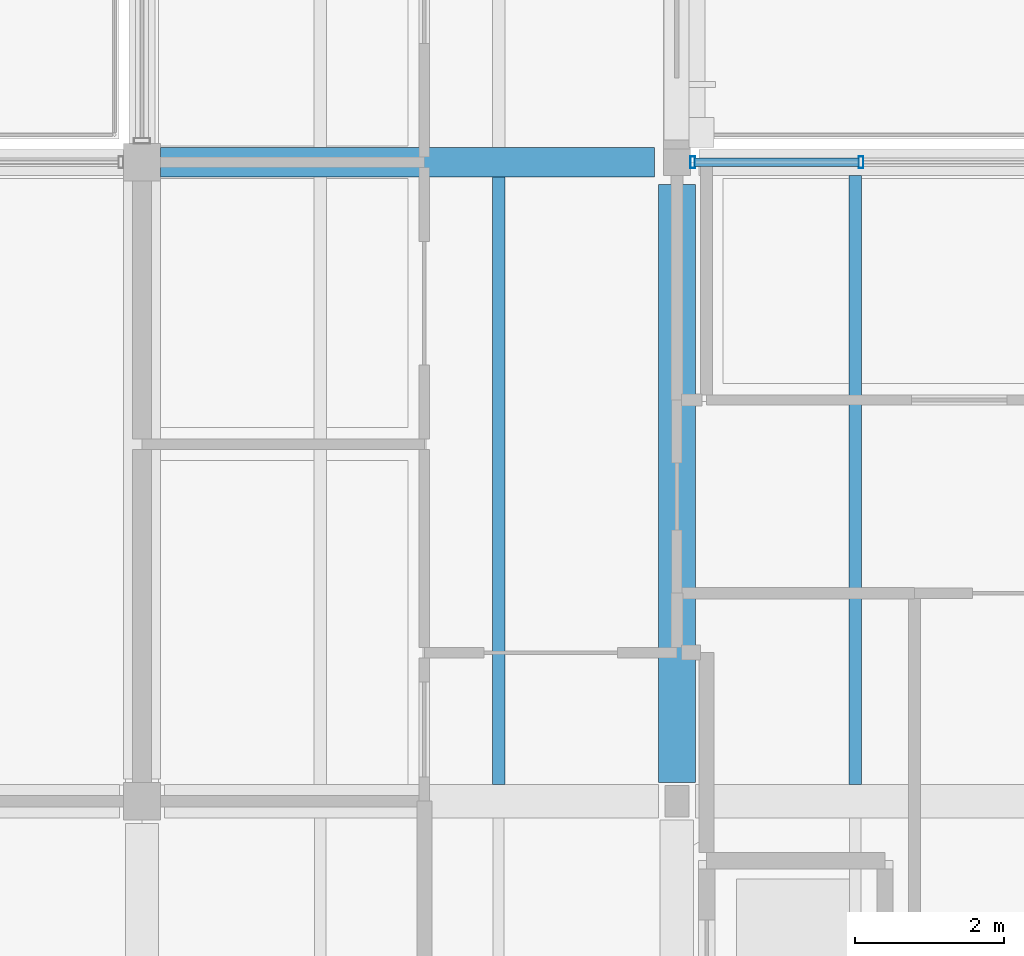
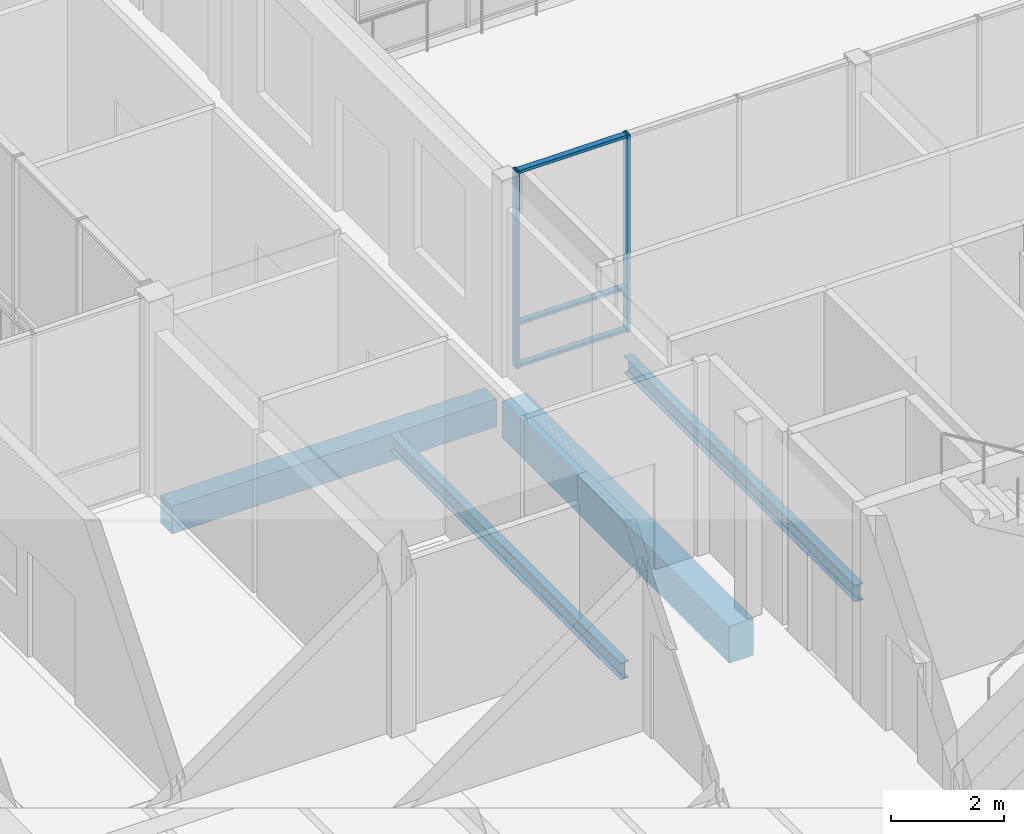
# One storey, part 84 of 146: 5 members, 4 beams, 1 element without a shape of its own.
"""IFC4 building model written with IfcOpenShell, lengths in metres."""

from ifc_helpers import new_model, si_unit, direction, frame, origin, origin_2d, place, context, subcontext, project, spatial, rectangle, hollow_rectangle, i_section, extrude, material, material_profile, profile_set, type_object, element, aggregate, save


model = new_model("IFC4")

# Units and contexts
model_context = context("Model", 3, precision=1e-05, world=origin(), true_north=direction((0.0, 1.0)))
body_context = subcontext(model_context, "Body", "Model", "MODEL_VIEW")
ifc_project = project(units=[si_unit("LENGTHUNIT", "METRE"), si_unit("AREAUNIT", "SQUARE_METRE"), si_unit("VOLUMEUNIT", "CUBIC_METRE"), si_unit("PLANEANGLEUNIT", "RADIAN"), si_unit("MASSUNIT", "GRAM", prefix="KILO")], contexts=[model_context])

# Site, building, storey
site_placement = place(None, origin())
site = spatial("IfcSite", under=ifc_project, at=site_placement, CompositionType="ELEMENT")
building_placement = place(site_placement, origin())
building = spatial("IfcBuilding", under=site, at=building_placement, Name="Hawrajan Terrace Health Centre", CompositionType="ELEMENT")
storey_placement = place(building_placement, frame((0.0, 0.0, 4.5)))
storey = spatial("IfcBuildingStorey", under=building, at=storey_placement, Name="L01", CompositionType="ELEMENT", Elevation=4.5)

# Curtain wall, members
ifc_material_1 = material(Name="Anodized bronze aluminium and low-E solar glazing", Category="aluminium")
curtain_wall_type = type_object("IfcCurtainWallType", Name="CW_Pavilion_SeriesE1", PredefinedType="USERDEFINED", material=ifc_material_1)
curtain_wall_placement = place(storey_placement, origin())
curtain_wall = element("IfcCurtainWall", 1, at=curtain_wall_placement, inside=storey, type_object=curtain_wall_type, Name="Curtain wall CW-L01-108", ObjectType="UNITISED CURTAIN WALL", PredefinedType="USERDEFINED")
ifc_material_2 = material(Name="Anodized bronze aluminium 6063-T6", Category="aluminium")
ifc_material_profile_1 = material_profile(ifc_material_2, hollow_rectangle(XDim=0.06494140625, YDim=0.159912109375, WallThickness=0.00390625, at=origin_2d()), Name="CW MUL 65x160")
ifc_profile_set_1 = profile_set([ifc_material_profile_1], Name="Anodized bronze aluminium 6063-T6")
member_type_1 = type_object("IfcMemberType", Name="CWMullion_65x160", PredefinedType="MULLION", material=ifc_profile_set_1)
member_1_placement = place(storey_placement, frame((151.21240234375, 27.199951171875, -0.0048828125), z_axis=(0.0, 0.0, 1.0), x_axis=(1.0, 0.0, 0.0)))
member_1 = element("IfcMember", 2, at=member_1_placement, type_object=member_type_1, Name="Mullion CW-L01-108-M1", PredefinedType="MULLION", context=body_context, shape_type="SweptSolid", body=[
    extrude(hollow_rectangle(XDim=0.06494140625, YDim=0.159912109375, WallThickness=0.00390625, at=origin_2d()), origin(), (0.0, 0.0, 1.0), 4.269775390625),
])
member_2_placement = place(storey_placement, frame((153.4775390625, 27.199951171875, -0.0048828125), z_axis=(0.0, 0.0, 1.0), x_axis=(1.0, 0.0, 0.0)))
member_2 = element("IfcMember", 3, at=member_2_placement, type_object=member_type_1, Name="Mullion CW-L01-108-M2", PredefinedType="MULLION", context=body_context, shape_type="SweptSolid", body=[
    extrude(hollow_rectangle(XDim=0.06494140625, YDim=0.159912109375, WallThickness=0.00390625, at=origin_2d()), origin(), (0.0, 0.0, 1.0), 4.269775390625),
])
ifc_material_profile_2 = material_profile(ifc_material_2, hollow_rectangle(XDim=0.06494140625, YDim=0.1201171875, WallThickness=0.00341796875, at=origin_2d()), Name="CW TRN 65x120")
ifc_profile_set_2 = profile_set([ifc_material_profile_2], Name="Anodized bronze aluminium 6063-T6")
member_type_2 = type_object("IfcMemberType", Name="CWTransom_65x120", PredefinedType="USERDEFINED", material=ifc_profile_set_2)
member_3_placement = place(storey_placement, frame((151.239013671875, 27.199951171875, 0.032470703125), z_axis=(1.0, 0.0, 0.0), x_axis=(0.0, 0.0, 1.0)))
member_3 = element("IfcMember", 4, at=member_3_placement, type_object=member_type_2, Name="Transom CW-L01-108-T1-1", ObjectType="TRANSOM", PredefinedType="USERDEFINED", context=body_context, shape_type="SweptSolid", body=[
    extrude(hollow_rectangle(XDim=0.06494140625, YDim=0.1201171875, WallThickness=0.00341796875, at=origin_2d()), origin(), (0.0, 0.0, 1.0), 2.2119140625),
])
member_4_placement = place(storey_placement, frame((151.239013671875, 27.199951171875, 0.949951171875), z_axis=(1.0, 0.0, 0.0), x_axis=(0.0, 0.0, 1.0)))
member_4 = element("IfcMember", 5, at=member_4_placement, type_object=member_type_2, Name="Transom CW-L01-108-T1-2", ObjectType="TRANSOM", PredefinedType="USERDEFINED", context=body_context, shape_type="SweptSolid", body=[
    extrude(hollow_rectangle(XDim=0.06494140625, YDim=0.1201171875, WallThickness=0.00341796875, at=origin_2d()), origin(), (0.0, 0.0, 1.0), 2.2119140625),
])
member_5_placement = place(storey_placement, frame((151.239013671875, 27.199951171875, 4.2275390625), z_axis=(1.0, 0.0, 0.0), x_axis=(0.0, 0.0, 1.0)))
member_5 = element("IfcMember", 6, at=member_5_placement, type_object=member_type_2, Name="Transom CW-L01-108-T1-3", ObjectType="TRANSOM", PredefinedType="USERDEFINED", context=body_context, shape_type="SweptSolid", body=[
    extrude(hollow_rectangle(XDim=0.06494140625, YDim=0.1201171875, WallThickness=0.00341796875, at=origin_2d()), origin(), (0.0, 0.0, 1.0), 2.2119140625),
])
aggregate(curtain_wall, [member_1, member_2, member_3, member_4, member_5])

# Beams
ifc_material_3 = material(Name="Concrete C40/50", Category="concrete")
ifc_material_profile_3 = material_profile(ifc_material_3, rectangle(XDim=0.39990234375, YDim=0.60009765625, at=origin_2d()), Name="RC BM 400x600")
ifc_profile_set_3 = profile_set([ifc_material_profile_3], Name="Concrete C40/50")
beam_type_1 = type_object("IfcBeamType", Name="RCGirder_400x600", PredefinedType="BEAM", material=ifc_profile_set_3)
beam_1_placement = place(storey_placement, frame((144.050048828125, 27.199951171875, -0.699951171875), z_axis=(1.0, 0.0, 0.0), x_axis=(0.0, 1.0, 0.0)))
element("IfcBeam", 7, at=beam_1_placement, inside=storey, type_object=beam_type_1, Name="Beam BM-X-L01-E-19-Y4", PredefinedType="BEAM", context=body_context, shape_type="SweptSolid", body=[
    extrude(rectangle(XDim=0.39990234375, YDim=0.60009765625, at=origin_2d()), origin(), (0.0, 0.0, 1.0), 6.64990234375),
])
ifc_material_profile_4 = material_profile(ifc_material_3, rectangle(XDim=0.5, YDim=0.800048828125, at=origin_2d()), Name="RC BM 500x800")
ifc_profile_set_4 = profile_set([ifc_material_profile_4], Name="Concrete C40/50")
beam_type_2 = type_object("IfcBeamType", Name="RCGirder_500x800", PredefinedType="BEAM", material=ifc_profile_set_4)
beam_2_placement = place(storey_placement, frame((151.0, 18.85009765625, -0.800048828125), z_axis=(0.0, 1.0, 0.0), x_axis=(-1.0, 0.0, 0.0)))
element("IfcBeam", 8, at=beam_2_placement, inside=storey, type_object=beam_type_2, Name="Beam BM-Y-L01-E-X20-3", PredefinedType="BEAM", context=body_context, shape_type="SweptSolid", body=[
    extrude(rectangle(XDim=0.5, YDim=0.800048828125, at=origin_2d()), origin(), (0.0, 0.0, 1.0), 8.0498046875),
])
ifc_material_4 = material(Name="Steel S355", Category="steel")
ifc_material_profile_5 = material_profile(ifc_material_4, i_section(OverallWidth=0.169921875, OverallDepth=0.360107421875, WebThickness=0.008056640625, FlangeThickness=0.0126953125, FilletRadius=0.01806640625, at=origin_2d()), Name="IPE 360")
ifc_profile_set_5 = profile_set([ifc_material_profile_5], Name="Steel S355")
beam_type_3 = type_object("IfcBeamType", Name="SteelBeam_IPE360", PredefinedType="BEAM", material=ifc_profile_set_5)
beam_3_placement = place(storey_placement, frame((148.60009765625, 18.824951171875, -0.580078125), z_axis=(0.0, 1.0, 0.0), x_axis=(-1.0, 0.0, 0.0)))
element("IfcBeam", 9, at=beam_3_placement, inside=storey, type_object=beam_type_3, Name="Secondary joist JST-L01-E-19-3-2", PredefinedType="BEAM", context=body_context, shape_type="SweptSolid", body=[
    extrude(i_section(OverallWidth=0.169921875, OverallDepth=0.360107421875, WebThickness=0.008056640625, FlangeThickness=0.0126953125, FilletRadius=0.01806640625, at=origin_2d()), origin(), (0.0, 0.0, 1.0), 8.175048828125),
])
beam_4_placement = place(storey_placement, frame((153.39990234375, 18.824951171875, -0.580078125), z_axis=(0.0, 1.0, 0.0), x_axis=(-1.0, 0.0, 0.0)))
element("IfcBeam", 10, at=beam_4_placement, inside=storey, type_object=beam_type_3, Name="Secondary joist JST-L01-E-20-3-1", PredefinedType="BEAM", context=body_context, shape_type="SweptSolid", body=[
    extrude(i_section(OverallWidth=0.169921875, OverallDepth=0.360107421875, WebThickness=0.008056640625, FlangeThickness=0.0126953125, FilletRadius=0.01806640625, at=origin_2d()), origin(), (0.0, 0.0, 1.0), 8.199951171875),
])

save(model, "model.ifc")
